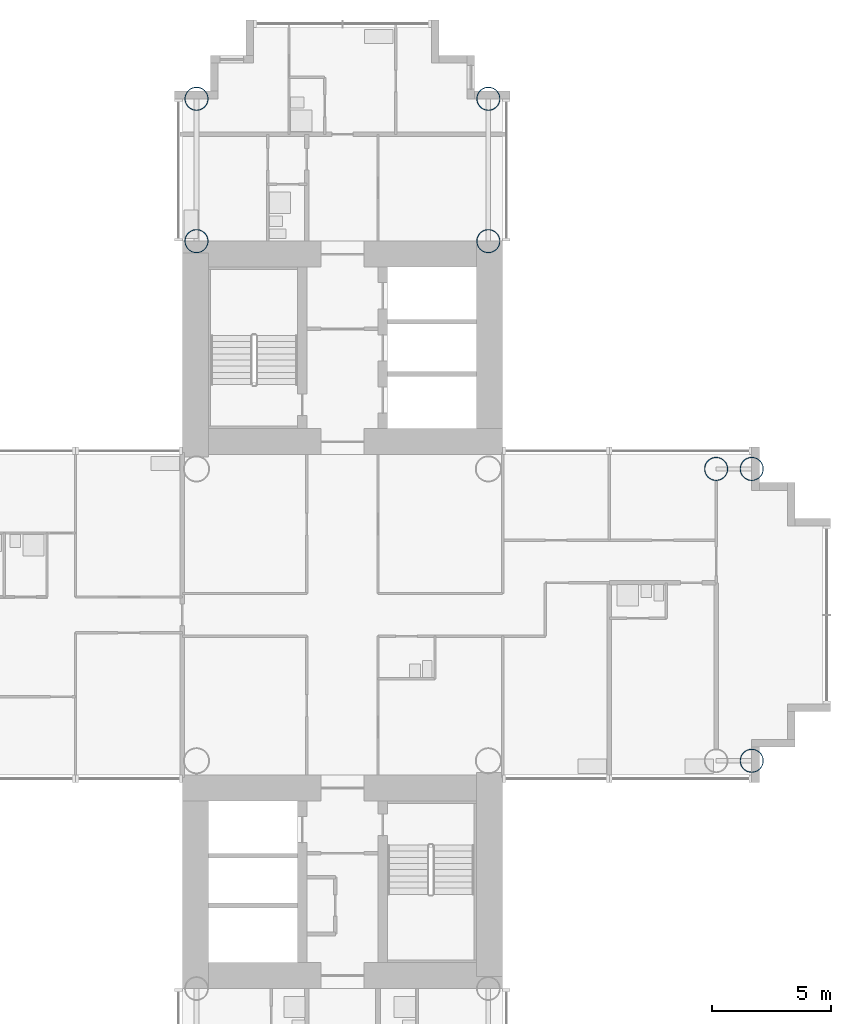
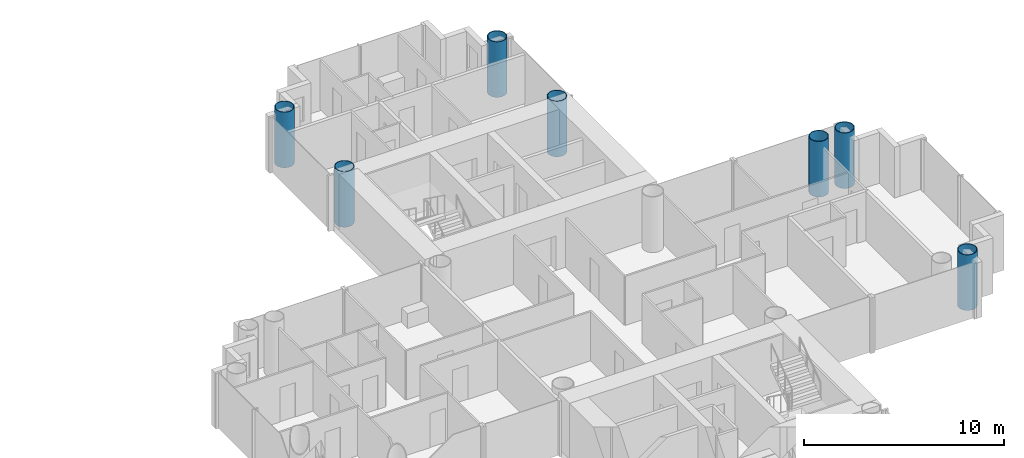
# One storey, part 2 of 22: 7 columns.
"""IFC4 building model written with IfcOpenShell, lengths in metres."""

from ifc_helpers import new_model, si_unit, direction, frame, origin, origin_2d, place, context, subcontext, project, spatial, hollow_circle, extrude, material, material_profile, profile_set, type_object, element, save


model = new_model("IFC4")

# Units and contexts
model_context = context("Model", 3, precision=1e-05, world=origin(), true_north=direction((0.0, 1.0)))
body_context = subcontext(model_context, "Body", "Model", "MODEL_VIEW")
ifc_project = project(units=[si_unit("LENGTHUNIT", "METRE"), si_unit("AREAUNIT", "SQUARE_METRE"), si_unit("VOLUMEUNIT", "CUBIC_METRE"), si_unit("PLANEANGLEUNIT", "RADIAN"), si_unit("MASSUNIT", "GRAM", prefix="KILO")], contexts=[model_context])

# Site, building, storey
site_placement = place(None, origin())
site = spatial("IfcSite", under=ifc_project, at=site_placement, CompositionType="ELEMENT")
building_placement = place(site_placement, origin())
building = spatial("IfcBuilding", under=site, at=building_placement, Name="Ipe Terrace Towers", CompositionType="ELEMENT")
storey_placement = place(building_placement, frame((0.0, 0.0, 55.10009765625)))
storey = spatial("IfcBuildingStorey", under=building, at=storey_placement, Name="L14", CompositionType="ELEMENT", Elevation=55.10009765625)

# Columns
ifc_material = material(Name="Steel S355 tube with Concrete C60/75 fill", Category="concrete")
ifc_material_profile = material_profile(ifc_material, hollow_circle(Radius=0.5, WallThickness=0.035888671875, at=origin_2d()), Name="CHS-1000x36")
ifc_profile_set = profile_set([ifc_material_profile], Name="Steel S355 tube with Concrete C60/75 fill")
column_type = type_object("IfcColumnType", Name="CH01 COLUMN CHS-1000x36", PredefinedType="COLUMN", material=ifc_profile_set)
for number, where, z_axis, x_axis, name in (
    (1, (42.14990234375, 15.75, 0.0), (0.0, 0.0, 1.0), (1.0, 0.0, 0.0), "Column T2-C-A01"),
    (2, (29.85009765625, 15.75, 0.0), (0.0, 0.0, 1.0), (1.0, 0.0, 0.0), "Column T2-C-A02"),
    (3, (42.14990234375, 21.75, 0.0), (0.0, 0.0, 1.0), (1.0, 0.0, 0.0), "Column T2-C-A03"),
    (4, (29.85009765625, 21.75, 0.0), (0.0, 0.0, 1.0), (1.0, 0.0, 0.0), "Column T2-C-A04"),
    (5, (51.75, 6.14990234375, 0.0), (0.0, 0.0, 1.0), (1.0, 0.0, 0.0), "Column T2-C-D04"),
    (6, (53.25, -6.14990234375, 0.0), (0.0, 0.0, 1.0), (1.0, 0.0, 0.0), "Column T2-C-D05"),
    (7, (53.25, 6.14990234375, 0.0), (0.0, 0.0, 1.0), (1.0, 0.0, 0.0), "Column T2-C-D06"),
):
    element("IfcColumn", number, at=place(storey_placement, frame(where, z_axis=z_axis, x_axis=x_axis)), inside=storey, type_object=column_type, Name=name, PredefinedType="COLUMN", context=body_context, shape_type="SweptSolid", body=[
        extrude(hollow_circle(Radius=0.5, WallThickness=0.035888671875, at=origin_2d()), origin(), (0.0, 0.0, 1.0), 3.39990234375),
    ])

save(model, "model.ifc")
